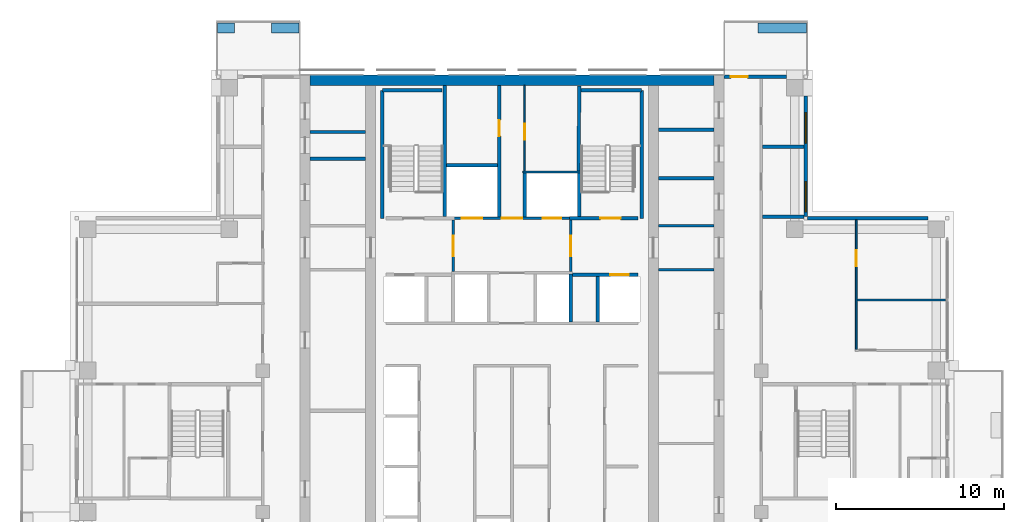
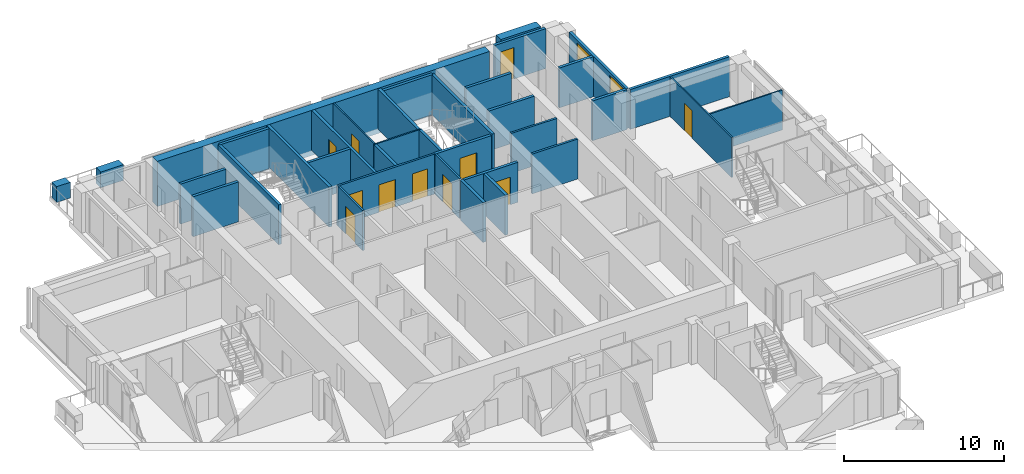
# One storey, part 13 of 17: 36 walls, 11 doors, 2 windows, 13 openings.
"""IFC4 building model written with IfcOpenShell, lengths in metres."""

from ifc_helpers import new_model, si_unit, direction, frame, frame_2d, origin, place, context, subcontext, project, spatial, rectangle, extrude, material, layer, layer_set, type_object, element, fill, save


model = new_model("IFC4")

# Units and contexts
model_context = context("Model", 3, precision=1e-05, world=origin(), true_north=direction((0.0, 1.0)))
body_context = subcontext(model_context, "Body", "Model", "MODEL_VIEW")
ifc_project = project(units=[si_unit("LENGTHUNIT", "METRE"), si_unit("AREAUNIT", "SQUARE_METRE"), si_unit("VOLUMEUNIT", "CUBIC_METRE"), si_unit("PLANEANGLEUNIT", "RADIAN"), si_unit("MASSUNIT", "GRAM", prefix="KILO")], contexts=[model_context])

# Site, building, storey
site_placement = place(None, origin())
site = spatial("IfcSite", under=ifc_project, at=site_placement, CompositionType="ELEMENT")
building_placement = place(site_placement, origin())
building = spatial("IfcBuilding", under=site, at=building_placement, Name="Vermilion Ogive Tower", CompositionType="ELEMENT")
storey_placement = place(building_placement, frame((0.0, 0.0, 203.14990234375)))
storey = spatial("IfcBuildingStorey", under=building, at=storey_placement, Name="L53", CompositionType="ELEMENT", Elevation=203.14990234375)

# Walls
ifc_material_1 = material(Name="Concrete B60", Category="concrete")
ifc_layer_1 = layer(ifc_material_1, 0.60009765625)
ifc_layer_set_1 = layer_set([ifc_layer_1], Name="Core wall 600 B60")
wall_type_1 = type_object("IfcWallType", Name="Core wall 600 B60", PredefinedType="SHEAR", material=ifc_layer_set_1)
wall_1_placement = place(storey_placement, frame((-12.0, 21.449951171875, -0.39990234375), z_axis=(0.0, 0.0, 1.0), x_axis=(1.0, 0.0, 0.0)))
element("IfcWall", 1, at=wall_1_placement, inside=storey, type_object=wall_type_1, Name="L53-CORE-N", PredefinedType="SHEAR", context=body_context, shape_type="SweptSolid", body=[
    extrude(rectangle(XDim=24.0, YDim=0.60009765625, at=frame_2d((12.0, 0.0))), origin(), (0.0, 0.0, 1.0), 3.449951171875),
])
ifc_material_2 = material(Name="Gypsum board partition on steel studs", Category="steel")
ifc_layer_2 = layer(ifc_material_2, 0.10009765625)
ifc_layer_set_2 = layer_set([ifc_layer_2], Name="Partition 100 bath")
wall_type_2 = type_object("IfcWallType", Name="Partition 100 bath", PredefinedType="PARTITIONING", material=ifc_layer_set_2)
wall_2_placement = place(storey_placement, frame((0.64990234375, 16.0, 0.0), z_axis=(0.0, 0.0, 1.0), x_axis=(1.0, 0.0, 0.0)))
element("IfcWall", 2, at=wall_2_placement, inside=storey, type_object=wall_type_2, Name="L53-CK-W-W017", PredefinedType="PARTITIONING", context=body_context, shape_type="SweptSolid", body=[
    extrude(rectangle(XDim=3.4501953125, YDim=0.10009765625, at=frame_2d((1.72509765625, 0.0))), origin(), (0.0, 0.0, 1.0), 3.050048828125),
])

# Wall, opening, door
wall_3_placement = place(storey_placement, frame((0.75, 16.050048828125, 0.0), z_axis=(0.0, 0.0, 1.0), x_axis=(0.0, 1.0, 0.0)))
wall_3 = element("IfcWall", 3, at=wall_3_placement, inside=storey, type_object=wall_type_2, Name="L53-CK-W-W029", PredefinedType="PARTITIONING", context=body_context, shape_type="SweptSolid", body=[
    extrude(rectangle(XDim=5.098876953125, YDim=0.10009765625, at=frame_2d((2.54931640625, 0.0))), origin(), (0.0, 0.0, 1.0), 3.050048828125),
])
opening_1_placement = place(wall_3_placement, frame((1.875, 0.0, 0.0)))
opening_1 = element("IfcOpeningElement", 4, at=opening_1_placement, cuts=wall_3, Name="Opening DAA478", PredefinedType="OPENING", context=body_context, shape_type="SweptSolid", body=[
    extrude(rectangle(XDim=0.949951171875, YDim=2.10009765625, at=frame_2d((0.47509765625, 1.050048828125))), frame((0.0, 0.06005859375, 0.0), z_axis=(0.0, -1.0, 0.0), x_axis=(1.0, 0.0, 0.0)), (0.0, 0.0, 1.0), 0.1201171875),
])
ifc_material_3 = material(Name="Timber door leaf", Category="wood")
door_type_1 = type_object("IfcDoorType", Name="Service door 950 x 2100 FD60", OperationType="SINGLE_SWING_LEFT", PredefinedType="DOOR", material=ifc_material_3)
door_1_placement = place(opening_1_placement, origin())
door_1 = element("IfcDoor", 5, at=door_1_placement, inside=storey, type_object=door_type_1, Name="L53-CK-D-D021", OperationType="SINGLE_SWING_LEFT", OverallHeight=2.10009765625, OverallWidth=0.949951171875, PredefinedType="DOOR", context=body_context, shape_type="SweptSolid", body=[
    extrude(rectangle(XDim=0.949951171875, YDim=2.10009765625, at=frame_2d((0.47509765625, 1.050048828125))), frame((0.0, 0.02490234375, 0.0), z_axis=(0.0, -1.0, 0.0), x_axis=(1.0, 0.0, 0.0)), (0.0, 0.0, 1.0), 0.050048828125),
])
fill(opening_1, door_1)

# Wall
ifc_material_4 = material(Name="Gypsum board partition on steel studs", Category="steel")
ifc_layer_3 = layer(ifc_material_4, 0.10009765625)
ifc_layer_set_3 = layer_set([ifc_layer_3], Name="Partition 100 inner")
wall_type_3 = type_object("IfcWallType", Name="Partition 100 inner", PredefinedType="PARTITIONING", material=ifc_layer_set_3)
wall_4_placement = place(storey_placement, frame((20.5, 8.39990234375, 0.0), z_axis=(0.0, 0.0, 1.0), x_axis=(1.0, 0.0, 0.0)))
element("IfcWall", 6, at=wall_4_placement, inside=storey, type_object=wall_type_3, Name="L53-W-W030", PredefinedType="PARTITIONING", context=body_context, shape_type="SweptSolid", body=[
    extrude(rectangle(XDim=5.25, YDim=0.10009765625, at=frame_2d((2.625, 0.0))), origin(), (0.0, 0.0, 1.0), 3.050048828125),
])

# Wall, opening, door
wall_5_placement = place(storey_placement, frame((20.449951171875, 5.449951171875, 0.0), z_axis=(0.0, 0.0, 1.0), x_axis=(0.0, 1.0, 0.0)))
wall_5 = element("IfcWall", 7, at=wall_5_placement, inside=storey, type_object=wall_type_3, Name="L53-W-W060", PredefinedType="PARTITIONING", context=body_context, shape_type="SweptSolid", body=[
    extrude(rectangle(XDim=7.699951171875, YDim=0.10009765625, at=frame_2d((3.85009765625, 0.0))), origin(), (0.0, 0.0, 1.0), 3.050048828125),
])
opening_2_placement = place(wall_5_placement, frame((4.949951171875, 0.0, 0.0)))
opening_2 = element("IfcOpeningElement", 8, at=opening_2_placement, cuts=wall_5, Name="Opening D4G4019", PredefinedType="OPENING", context=body_context, shape_type="SweptSolid", body=[
    extrude(rectangle(XDim=0.949951171875, YDim=2.10009765625, at=frame_2d((0.47509765625, 1.050048828125))), frame((0.0, 0.06005859375, 0.0), z_axis=(0.0, -1.0, 0.0), x_axis=(1.0, 0.0, 0.0)), (0.0, 0.0, 1.0), 0.1201171875),
])
ifc_material_5 = material(Name="Timber door leaf", Category="wood")
door_type_2 = type_object("IfcDoorType", Name="Inner door 950 x 2100 FD30", OperationType="SINGLE_SWING_LEFT", PredefinedType="DOOR", material=ifc_material_5)
door_2_placement = place(opening_2_placement, origin())
door_2 = element("IfcDoor", 9, at=door_2_placement, inside=storey, type_object=door_type_2, Name="L53-D-D019", OperationType="SINGLE_SWING_LEFT", OverallHeight=2.10009765625, OverallWidth=0.949951171875, PredefinedType="DOOR", context=body_context, shape_type="SweptSolid", body=[
    extrude(rectangle(XDim=0.949951171875, YDim=2.10009765625, at=frame_2d((0.47509765625, 1.050048828125))), frame((0.0, 0.02490234375, 0.0), z_axis=(0.0, -1.0, 0.0), x_axis=(1.0, 0.0, 0.0)), (0.0, 0.0, 1.0), 0.050048828125),
])
fill(opening_2, door_2)

# Wall, openings, doors
ifc_material_6 = material(Name="Gypsum board partition on steel studs", Category="steel")
ifc_layer_4 = layer(ifc_material_6, 0.14990234375)
ifc_layer_set_4 = layer_set([ifc_layer_4], Name="Partition 150 corridor")
wall_type_4 = type_object("IfcWallType", Name="Partition 150 corridor", PredefinedType="PARTITIONING", material=ifc_layer_set_4)
wall_6_placement = place(storey_placement, frame((-3.574951171875, 13.25, 0.0), z_axis=(0.0, 0.0, 1.0), x_axis=(1.0, 0.0, 0.0)))
wall_6 = element("IfcWall", 10, at=wall_6_placement, inside=storey, type_object=wall_type_4, Name="L53-CK-W-W015", PredefinedType="PARTITIONING", context=body_context, shape_type="SweptSolid", body=[
    extrude(rectangle(XDim=7.14990234375, YDim=0.14990234375, at=frame_2d((3.574951171875, 0.0))), origin(), (0.0, 0.0, 1.0), 3.050048828125),
])
opening_3_placement = place(wall_6_placement, frame((0.599853515625, 0.0, 0.0)))
opening_3 = element("IfcOpeningElement", 11, at=opening_3_placement, cuts=wall_6, Name="Opening DAA489", PredefinedType="OPENING", context=body_context, shape_type="SweptSolid", body=[
    extrude(rectangle(XDim=1.199951171875, YDim=2.10009765625, at=frame_2d((0.60009765625, 1.050048828125))), frame((0.0, 0.0849609375, 0.0), z_axis=(0.0, -1.0, 0.0), x_axis=(1.0, 0.0, 0.0)), (0.0, 0.0, 1.0), 0.169921875),
])
opening_4_placement = place(wall_6_placement, frame((5.39990234375, 0.0, 0.0)))
opening_4 = element("IfcOpeningElement", 12, at=opening_4_placement, cuts=wall_6, Name="Opening DAA488", PredefinedType="OPENING", context=body_context, shape_type="SweptSolid", body=[
    extrude(rectangle(XDim=1.10009765625, YDim=2.10009765625, at=frame_2d((0.550048828125, 1.050048828125))), frame((0.0, 0.0849609375, 0.0), z_axis=(0.0, -1.0, 0.0), x_axis=(1.0, 0.0, 0.0)), (0.0, 0.0, 1.0), 0.169921875),
])
opening_5_placement = place(wall_6_placement, frame((2.974853515625, 0.0, 0.0)))
opening_5 = element("IfcOpeningElement", 13, at=opening_5_placement, cuts=wall_6, Name="Opening DAA471", PredefinedType="OPENING", context=body_context, shape_type="SweptSolid", body=[
    extrude(rectangle(XDim=1.199951171875, YDim=2.10009765625, at=frame_2d((0.60009765625, 1.050048828125))), frame((0.0, 0.0849609375, 0.0), z_axis=(0.0, -1.0, 0.0), x_axis=(1.0, 0.0, 0.0)), (0.0, 0.0, 1.0), 0.169921875),
])
ifc_material_7 = material(Name="Stainless steel", Category="steel")
door_type_3 = type_object("IfcDoorType", Name="Lift landing door 1100 x 2100", OperationType="SLIDING_TO_LEFT", PredefinedType="DOOR", material=ifc_material_7)
door_3_placement = place(opening_4_placement, origin())
door_3 = element("IfcDoor", 14, at=door_3_placement, inside=storey, type_object=door_type_3, Name="L53-CK-D-D018", OperationType="SLIDING_TO_LEFT", OverallHeight=2.10009765625, OverallWidth=1.10009765625, PredefinedType="DOOR", context=body_context, shape_type="SweptSolid", body=[
    extrude(rectangle(XDim=1.10009765625, YDim=2.10009765625, at=frame_2d((0.550048828125, 1.050048828125))), frame((0.0, 0.02490234375, 0.0), z_axis=(0.0, -1.0, 0.0), x_axis=(1.0, 0.0, 0.0)), (0.0, 0.0, 1.0), 0.050048828125),
])
fill(opening_4, door_3)
ifc_material_8 = material(Name="Stainless steel", Category="steel")
door_type_4 = type_object("IfcDoorType", Name="Lift landing door 1200 x 2100", OperationType="SLIDING_TO_LEFT", PredefinedType="DOOR", material=ifc_material_8)
door_4_placement = place(opening_3_placement, origin())
door_4 = element("IfcDoor", 15, at=door_4_placement, inside=storey, type_object=door_type_4, Name="L53-CK-D-D017", OperationType="SLIDING_TO_RIGHT", OverallHeight=2.10009765625, OverallWidth=1.199951171875, PredefinedType="DOOR", context=body_context, shape_type="SweptSolid", body=[
    extrude(rectangle(XDim=1.199951171875, YDim=2.10009765625, at=frame_2d((0.60009765625, 1.050048828125))), frame((0.0, 0.02490234375, 0.0), z_axis=(0.0, -1.0, 0.0), x_axis=(1.0, 0.0, 0.0)), (0.0, 0.0, 1.0), 0.050048828125),
])
fill(opening_3, door_4)
ifc_material_9 = material(Name="Timber door leaf", Category="wood")
door_type_5 = type_object("IfcDoorType", Name="Service door 1200 x 2100 FD60", OperationType="SINGLE_SWING_LEFT", PredefinedType="DOOR", material=ifc_material_9)
door_5_placement = place(opening_5_placement, origin())
door_5 = element("IfcDoor", 16, at=door_5_placement, inside=storey, type_object=door_type_5, Name="L53-CK-D-D019", OperationType="SINGLE_SWING_RIGHT", OverallHeight=2.10009765625, OverallWidth=1.199951171875, PredefinedType="DOOR", context=body_context, shape_type="SweptSolid", body=[
    extrude(rectangle(XDim=1.199951171875, YDim=2.10009765625, at=frame_2d((0.60009765625, 1.050048828125))), frame((0.0, 0.02490234375, 0.0), z_axis=(0.0, -1.0, 0.0), x_axis=(1.0, 0.0, 0.0)), (0.0, 0.0, 1.0), 0.050048828125),
])
fill(opening_5, door_5)

# Wall, opening, door
wall_7_placement = place(storey_placement, frame((-3.5, 10.074951171875, 0.0), z_axis=(0.0, 0.0, 1.0), x_axis=(0.0, 1.0, 0.0)))
wall_7 = element("IfcWall", 17, at=wall_7_placement, inside=storey, type_object=wall_type_4, Name="L53-CK-W-W023", PredefinedType="PARTITIONING", context=body_context, shape_type="SweptSolid", body=[
    extrude(rectangle(XDim=3.074951171875, YDim=0.14990234375, at=frame_2d((1.53759765625, 0.0))), origin(), (0.0, 0.0, 1.0), 3.050048828125),
])
opening_6_placement = place(wall_7_placement, frame((0.925048828125, 0.0, 0.0)))
opening_6 = element("IfcOpeningElement", 18, at=opening_6_placement, cuts=wall_7, Name="Opening DAA467", PredefinedType="OPENING", context=body_context, shape_type="SweptSolid", body=[
    extrude(rectangle(XDim=1.199951171875, YDim=2.10009765625, at=frame_2d((0.60009765625, 1.050048828125))), frame((0.0, 0.0849609375, 0.0), z_axis=(0.0, -1.0, 0.0), x_axis=(1.0, 0.0, 0.0)), (0.0, 0.0, 1.0), 0.169921875),
])
ifc_material_10 = material(Name="Timber door leaf", Category="wood")
door_type_6 = type_object("IfcDoorType", Name="Lobby door 1200 x 2100 FD60S", OperationType="SINGLE_SWING_LEFT", PredefinedType="DOOR", material=ifc_material_10)
door_6_placement = place(opening_6_placement, origin())
door_6 = element("IfcDoor", 19, at=door_6_placement, inside=storey, type_object=door_type_6, Name="L53-CK-D-D022", OperationType="SINGLE_SWING_RIGHT", OverallHeight=2.10009765625, OverallWidth=1.199951171875, PredefinedType="DOOR", context=body_context, shape_type="SweptSolid", body=[
    extrude(rectangle(XDim=1.199951171875, YDim=2.10009765625, at=frame_2d((0.60009765625, 1.050048828125))), frame((0.0, 0.02490234375, 0.0), z_axis=(0.0, -1.0, 0.0), x_axis=(1.0, 0.0, 0.0)), (0.0, 0.0, 1.0), 0.050048828125),
])
fill(opening_6, door_6)

wall_8_placement = place(storey_placement, frame((3.5, 10.074951171875, 0.0), z_axis=(0.0, 0.0, 1.0), x_axis=(0.0, 1.0, 0.0)))
wall_8 = element("IfcWall", 20, at=wall_8_placement, inside=storey, type_object=wall_type_4, Name="L53-CK-W-W033", PredefinedType="PARTITIONING", context=body_context, shape_type="SweptSolid", body=[
    extrude(rectangle(XDim=3.074951171875, YDim=0.14990234375, at=frame_2d((1.53759765625, 0.0))), origin(), (0.0, 0.0, 1.0), 3.050048828125),
])
opening_7_placement = place(wall_8_placement, frame((0.925048828125, 0.0, 0.0)))
opening_7 = element("IfcOpeningElement", 21, at=opening_7_placement, cuts=wall_8, Name="Opening DAA468", PredefinedType="OPENING", context=body_context, shape_type="SweptSolid", body=[
    extrude(rectangle(XDim=1.199951171875, YDim=2.10009765625, at=frame_2d((0.60009765625, 1.050048828125))), frame((0.0, 0.0849609375, 0.0), z_axis=(0.0, -1.0, 0.0), x_axis=(1.0, 0.0, 0.0)), (0.0, 0.0, 1.0), 0.169921875),
])
door_7_placement = place(opening_7_placement, origin())
door_7 = element("IfcDoor", 22, at=door_7_placement, inside=storey, type_object=door_type_6, Name="L53-CK-D-D023", OperationType="SINGLE_SWING_LEFT", OverallHeight=2.10009765625, OverallWidth=1.199951171875, PredefinedType="DOOR", context=body_context, shape_type="SweptSolid", body=[
    extrude(rectangle(XDim=1.199951171875, YDim=2.10009765625, at=frame_2d((0.60009765625, 1.050048828125))), frame((0.0, 0.02490234375, 0.0), z_axis=(0.0, -1.0, 0.0), x_axis=(1.0, 0.0, 0.0)), (0.0, 0.0, 1.0), 0.050048828125),
])
fill(opening_7, door_7)

# Walls
for number, where, z_axis, x_axis, name in (
    (23, (8.700927734375, 10.199951171875, 0.0), (0.0, 0.0, 1.0), (1.0, 0.0, 0.0), "L53-CKE-W-W003"),
    (24, (8.700927734375, 12.800048828125, 0.0), (0.0, 0.0, 1.0), (1.0, 0.0, 0.0), "L53-CKE-W-W004"),
):
    element("IfcWall", number, at=place(storey_placement, frame(where, z_axis=z_axis, x_axis=x_axis)), inside=storey, type_object=wall_type_4, Name=name, PredefinedType="PARTITIONING", context=body_context, shape_type="SweptSolid", body=[
        extrude(rectangle(XDim=3.298095703125, YDim=0.14990234375, at=frame_2d((1.64892578125, 0.0))), origin(), (0.0, 0.0, 1.0), 3.050048828125),
    ])
ifc_material_11 = material(Name="Gypsum board partition on steel studs", Category="steel")
ifc_layer_5 = layer(ifc_material_11, 0.199951171875)
ifc_layer_set_5 = layer_set([ifc_layer_5], Name="Partition 200 party")
wall_type_5 = type_object("IfcWallType", Name="Partition 200 party", PredefinedType="PARTITIONING", material=ifc_layer_set_5)
for number, where, z_axis, x_axis, name in (
    (25, (14.875, 13.35009765625, 0.0), (0.0, 0.0, 1.0), (1.0, 0.0, 0.0), "L53-W-W033"),
    (26, (14.875, 17.5, 0.0), (0.0, 0.0, 1.0), (1.0, 0.0, 0.0), "L53-W-W035"),
):
    element("IfcWall", number, at=place(storey_placement, frame(where, z_axis=z_axis, x_axis=x_axis)), inside=storey, type_object=wall_type_5, Name=name, PredefinedType="PARTITIONING", context=body_context, shape_type="SweptSolid", body=[
        extrude(rectangle(XDim=2.47509765625, YDim=0.199951171875, at=frame_2d((1.237548828125, 0.0))), origin(), (0.0, 0.0, 1.0), 3.050048828125),
    ])

# Wall, opening, door
wall_9_placement = place(storey_placement, frame((3.60009765625, 9.89990234375, 0.0), z_axis=(0.0, 0.0, 1.0), x_axis=(1.0, 0.0, 0.0)))
wall_9 = element("IfcWall", 27, at=wall_9_placement, inside=storey, type_object=wall_type_5, Name="L53-CK-W-W012", PredefinedType="PARTITIONING", context=body_context, shape_type="SweptSolid", body=[
    extrude(rectangle(XDim=3.89990234375, YDim=0.199951171875, at=frame_2d((1.949951171875, 0.0))), origin(), (0.0, 0.0, 1.0), 3.050048828125),
])
opening_8_placement = place(wall_9_placement, frame((2.25, 0.0, 0.0)))
opening_8 = element("IfcOpeningElement", 28, at=opening_8_placement, cuts=wall_9, Name="Opening DAA487", PredefinedType="OPENING", context=body_context, shape_type="SweptSolid", body=[
    extrude(rectangle(XDim=1.10009765625, YDim=2.10009765625, at=frame_2d((0.550048828125, 1.050048828125))), frame((0.0, 0.10986328125, 0.0), z_axis=(0.0, -1.0, 0.0), x_axis=(1.0, 0.0, 0.0)), (0.0, 0.0, 1.0), 0.219970703125),
])
door_8_placement = place(opening_8_placement, origin())
door_8 = element("IfcDoor", 29, at=door_8_placement, inside=storey, type_object=door_type_3, Name="L53-CK-D-D014", OperationType="SLIDING_TO_LEFT", OverallHeight=2.10009765625, OverallWidth=1.10009765625, PredefinedType="DOOR", context=body_context, shape_type="SweptSolid", body=[
    extrude(rectangle(XDim=1.10009765625, YDim=2.10009765625, at=frame_2d((0.550048828125, 1.050048828125))), frame((0.0, 0.02490234375, 0.0), z_axis=(0.0, -1.0, 0.0), x_axis=(1.0, 0.0, 0.0)), (0.0, 0.0, 1.0), 0.050048828125),
])
fill(opening_8, door_8)

# Wall
wall_10_placement = place(storey_placement, frame((-3.89990234375, 16.39990234375, 0.0), z_axis=(0.0, 0.0, 1.0), x_axis=(1.0, 0.0, 0.0)))
element("IfcWall", 30, at=wall_10_placement, inside=storey, type_object=wall_type_5, Name="L53-CK-W-W018", PredefinedType="PARTITIONING", context=body_context, shape_type="SweptSolid", body=[
    extrude(rectangle(XDim=3.0498046875, YDim=0.199951171875, at=frame_2d((1.52490234375, 0.0))), origin(), (0.0, 0.0, 1.0), 3.050048828125),
])

# Wall, opening, door
wall_11_placement = place(storey_placement, frame((-0.75, 13.324951171875, 0.0), z_axis=(0.0, 0.0, 1.0), x_axis=(0.0, 1.0, 0.0)))
wall_11 = element("IfcWall", 31, at=wall_11_placement, inside=storey, type_object=wall_type_5, Name="L53-CK-W-W026", PredefinedType="PARTITIONING", context=body_context, shape_type="SweptSolid", body=[
    extrude(rectangle(XDim=7.823974609375, YDim=0.199951171875, at=frame_2d((3.912109375, 0.0))), origin(), (0.0, 0.0, 1.0), 3.050048828125),
])
opening_9_placement = place(wall_11_placement, frame((4.800048828125, 0.0, 0.0)))
opening_9 = element("IfcOpeningElement", 32, at=opening_9_placement, cuts=wall_11, Name="Opening DAA477", PredefinedType="OPENING", context=body_context, shape_type="SweptSolid", body=[
    extrude(rectangle(XDim=0.949951171875, YDim=2.10009765625, at=frame_2d((0.47509765625, 1.050048828125))), frame((0.0, 0.10986328125, 0.0), z_axis=(0.0, -1.0, 0.0), x_axis=(1.0, 0.0, 0.0)), (0.0, 0.0, 1.0), 0.219970703125),
])
door_9_placement = place(opening_9_placement, origin())
door_9 = element("IfcDoor", 33, at=door_9_placement, inside=storey, type_object=door_type_1, Name="L53-CK-D-D020", OperationType="SINGLE_SWING_RIGHT", OverallHeight=2.10009765625, OverallWidth=0.949951171875, PredefinedType="DOOR", context=body_context, shape_type="SweptSolid", body=[
    extrude(rectangle(XDim=0.949951171875, YDim=2.10009765625, at=frame_2d((0.47509765625, 1.050048828125))), frame((0.0, 0.02490234375, 0.0), z_axis=(0.0, -1.0, 0.0), x_axis=(1.0, 0.0, 0.0)), (0.0, 0.0, 1.0), 0.050048828125),
])
fill(opening_9, door_9)

# Walls
wall_12_placement = place(storey_placement, frame((0.75, 13.324951171875, 0.0), z_axis=(0.0, 0.0, 1.0), x_axis=(0.0, 1.0, 0.0)))
element("IfcWall", 34, at=wall_12_placement, inside=storey, type_object=wall_type_5, Name="L53-CK-W-W028", PredefinedType="PARTITIONING", context=body_context, shape_type="SweptSolid", body=[
    extrude(rectangle(XDim=2.625, YDim=0.199951171875, at=frame_2d((1.3125, 0.0))), origin(), (0.0, 0.0, 1.0), 3.050048828125),
])
wall_13_placement = place(storey_placement, frame((3.5, 7.074951171875, 0.0), z_axis=(0.0, 0.0, 1.0), x_axis=(0.0, 1.0, 0.0)))
element("IfcWall", 35, at=wall_13_placement, inside=storey, type_object=wall_type_5, Name="L53-CK-W-W032", PredefinedType="PARTITIONING", context=body_context, shape_type="SweptSolid", body=[
    extrude(rectangle(XDim=2.85009765625, YDim=0.199951171875, at=frame_2d((1.425048828125, 0.0))), origin(), (0.0, 0.0, 1.0), 3.050048828125),
])
wall_14_placement = place(storey_placement, frame((5.10009765625, 7.074951171875, 0.0), z_axis=(0.0, 0.0, 1.0), x_axis=(0.0, 1.0, 0.0)))
element("IfcWall", 36, at=wall_14_placement, inside=storey, type_object=wall_type_5, Name="L53-CK-W-W036", PredefinedType="PARTITIONING", context=body_context, shape_type="SweptSolid", body=[
    extrude(rectangle(XDim=2.72509765625, YDim=0.199951171875, at=frame_2d((1.362548828125, 0.0))), origin(), (0.0, 0.0, 1.0), 3.050048828125),
])
for number, where, z_axis, x_axis, name in (
    (37, (-11.9990234375, 16.7880859375, 0.0), (0.0, 0.0, 1.0), (1.0, 0.0, 0.0), "L53-CKW-W-W004"),
    (38, (-11.9990234375, 18.373046875, 0.0), (0.0, 0.0, 1.0), (1.0, 0.0, 0.0), "L53-CKW-W-W005"),
    (39, (8.700927734375, 15.636962890625, 0.0), (0.0, 0.0, 1.0), (1.0, 0.0, 0.0), "L53-CKE-W-W005"),
    (40, (8.700927734375, 18.509033203125, 0.0), (0.0, 0.0, 1.0), (1.0, 0.0, 0.0), "L53-CKE-W-W006"),
):
    element("IfcWall", number, at=place(storey_placement, frame(where, z_axis=z_axis, x_axis=x_axis)), inside=storey, type_object=wall_type_5, Name=name, PredefinedType="PARTITIONING", context=body_context, shape_type="SweptSolid", body=[
        extrude(rectangle(XDim=3.298095703125, YDim=0.199951171875, at=frame_2d((1.64892578125, 0.0))), origin(), (0.0, 0.0, 1.0), 3.050048828125),
    ])

# Wall, opening, door
ifc_material_12 = material(Name="Concrete B60", Category="concrete")
ifc_layer_6 = layer(ifc_material_12, 0.199951171875)
ifc_layer_set_6 = layer_set([ifc_layer_6], Name="Stair shaft wall 200 Concrete B60")
wall_type_6 = type_object("IfcWallType", Name="Stair shaft wall 200 Concrete B60", PredefinedType="SOLIDWALL", material=ifc_layer_set_6)
wall_15_placement = place(storey_placement, frame((3.425048828125, 13.25, 0.0), z_axis=(0.0, 0.0, 1.0), x_axis=(1.0, 0.0, 0.0)))
wall_15 = element("IfcWall", 41, at=wall_15_placement, inside=storey, type_object=wall_type_6, Name="L53-CK-W-W016", PredefinedType="SOLIDWALL", context=body_context, shape_type="SweptSolid", body=[
    extrude(rectangle(XDim=4.074951171875, YDim=0.199951171875, at=frame_2d((2.03759765625, 0.0))), origin(), (0.0, 0.0, 1.0), 3.050048828125),
])
opening_10_placement = place(wall_15_placement, frame((1.824951171875, 0.0, 0.0)))
opening_10 = element("IfcOpeningElement", 42, at=opening_10_placement, cuts=wall_15, Name="Opening DAA480", PredefinedType="OPENING", context=body_context, shape_type="SweptSolid", body=[
    extrude(rectangle(XDim=1.199951171875, YDim=2.10009765625, at=frame_2d((0.60009765625, 1.050048828125))), frame((0.0, 0.10986328125, 0.0), z_axis=(0.0, -1.0, 0.0), x_axis=(1.0, 0.0, 0.0)), (0.0, 0.0, 1.0), 0.219970703125),
])
ifc_material_13 = material(Name="Timber door leaf", Category="wood")
door_type_7 = type_object("IfcDoorType", Name="Stair door 1200 x 2100 FD60S", OperationType="SINGLE_SWING_LEFT", PredefinedType="DOOR", material=ifc_material_13)
door_10_placement = place(opening_10_placement, origin())
door_10 = element("IfcDoor", 43, at=door_10_placement, inside=storey, type_object=door_type_7, Name="L53-CK-D-D013", OperationType="SINGLE_SWING_RIGHT", OverallHeight=2.10009765625, OverallWidth=1.199951171875, PredefinedType="DOOR", context=body_context, shape_type="SweptSolid", body=[
    extrude(rectangle(XDim=1.199951171875, YDim=2.10009765625, at=frame_2d((0.60009765625, 1.050048828125))), frame((0.0, 0.02490234375, 0.0), z_axis=(0.0, -1.0, 0.0), x_axis=(1.0, 0.0, 0.0)), (0.0, 0.0, 1.0), 0.050048828125),
])
fill(opening_10, door_10)

# Walls
wall_16_placement = place(storey_placement, frame((-4.0, 13.35009765625, 0.0), z_axis=(0.0, 0.0, 1.0), x_axis=(0.0, 1.0, 0.0)))
element("IfcWall", 44, at=wall_16_placement, inside=storey, type_object=wall_type_6, Name="L53-CK-W-W021", PredefinedType="SOLIDWALL", context=body_context, shape_type="SweptSolid", body=[
    extrude(rectangle(XDim=7.798828125, YDim=0.199951171875, at=frame_2d((3.8994140625, 0.0))), origin(), (0.0, 0.0, 1.0), 3.050048828125),
])
wall_17_placement = place(storey_placement, frame((4.0, 13.35009765625, 0.0), z_axis=(0.0, 0.0, 1.0), x_axis=(0.0, 1.0, 0.0)))
element("IfcWall", 45, at=wall_17_placement, inside=storey, type_object=wall_type_6, Name="L53-CK-W-W034", PredefinedType="SOLIDWALL", context=body_context, shape_type="SweptSolid", body=[
    extrude(rectangle(XDim=2.599853515625, YDim=0.199951171875, at=frame_2d((1.2998046875, 0.0))), origin(), (0.0, 0.0, 1.0), 3.050048828125),
])
wall_18_placement = place(storey_placement, frame((3.949951171875, 16.050048828125, 0.0), z_axis=(0.0, 0.0, 1.0), x_axis=(0.009911993103, 0.99995087499, 0.0)))
element("IfcWall", 46, at=wall_18_placement, inside=storey, type_object=wall_type_6, Name="L53-CK-W-W035", PredefinedType="SOLIDWALL", context=body_context, shape_type="SweptSolid", body=[
    extrude(rectangle(XDim=5.04931640625, YDim=0.199951171875, at=frame_2d((2.524658203125, 0.0))), origin(), (0.0, 0.0, 1.0), 3.050048828125),
])
wall_19_placement = place(storey_placement, frame((-7.699951171875, 13.25, 0.0), z_axis=(0.0, 0.0, 1.0), x_axis=(0.0, 1.0, 0.0)))
element("IfcWall", 47, at=wall_19_placement, inside=storey, type_object=wall_type_6, Name="L53-SW-R015-W1", PredefinedType="SOLIDWALL", context=body_context, shape_type="SweptSolid", body=[
    extrude(rectangle(XDim=7.60009765625, YDim=0.199951171875, at=frame_2d((3.800048828125, 0.0))), origin(), (0.0, 0.0, 1.0), 3.050048828125),
])
wall_20_placement = place(storey_placement, frame((-7.699951171875, 20.85009765625, 0.0), z_axis=(0.0, 0.0, 1.0), x_axis=(1.0, 0.0, 0.0)))
element("IfcWall", 48, at=wall_20_placement, inside=storey, type_object=wall_type_6, Name="L53-SW-R015-N1", PredefinedType="SOLIDWALL", context=body_context, shape_type="SweptSolid", body=[
    extrude(rectangle(XDim=3.550048828125, YDim=0.199951171875, at=frame_2d((1.77490234375, 0.0))), origin(), (0.0, 0.0, 1.0), 3.050048828125),
])
wall_21_placement = place(storey_placement, frame((7.699951171875, 13.25, 0.0), z_axis=(0.0, 0.0, 1.0), x_axis=(0.0, 1.0, 0.0)))
element("IfcWall", 49, at=wall_21_placement, inside=storey, type_object=wall_type_6, Name="L53-SW-R019-E1", PredefinedType="SOLIDWALL", context=body_context, shape_type="SweptSolid", body=[
    extrude(rectangle(XDim=7.60009765625, YDim=0.199951171875, at=frame_2d((3.800048828125, 0.0))), origin(), (0.0, 0.0, 1.0), 3.050048828125),
])
wall_22_placement = place(storey_placement, frame((4.10009765625, 20.85009765625, 0.0), z_axis=(0.0, 0.0, 1.0), x_axis=(1.0, 0.0, 0.0)))
element("IfcWall", 50, at=wall_22_placement, inside=storey, type_object=wall_type_6, Name="L53-SW-R019-N1", PredefinedType="SOLIDWALL", context=body_context, shape_type="SweptSolid", body=[
    extrude(rectangle(XDim=3.599853515625, YDim=0.199951171875, at=frame_2d((1.7998046875, 0.0))), origin(), (0.0, 0.0, 1.0), 3.050048828125),
])
ifc_material_14 = material(Name="Concrete B40", Category="concrete")
ifc_layer_7 = layer(ifc_material_14, 0.60009765625)
ifc_layer_set_7 = layer_set([ifc_layer_7], Name="Structural planter")
wall_type_7 = type_object("IfcWallType", Name="Structural planter", PredefinedType="USERDEFINED", material=ifc_layer_set_7)
wall_23_placement = place(storey_placement, frame((17.489990234375, 24.550048828125, -0.039794921875), z_axis=(0.0, 0.0, 1.0), x_axis=(-1.0, 0.0, 0.0)))
element("IfcWall", 51, at=wall_23_placement, inside=storey, type_object=wall_type_7, Name="Planter N101A1", ObjectType="PLANTER", PredefinedType="USERDEFINED", context=body_context, shape_type="SweptSolid", body=[
    extrude(rectangle(XDim=2.889892578125, YDim=0.60009765625, at=frame_2d((1.44482421875, 0.0))), origin(), (0.0, 0.0, 1.0), 1.199951171875),
])
wall_24_placement = place(storey_placement, frame((-12.659912109375, 24.550048828125, -0.039794921875), z_axis=(0.0, 0.0, 1.0), x_axis=(-1.0, 0.0, 0.0)))
element("IfcWall", 52, at=wall_24_placement, inside=storey, type_object=wall_type_7, Name="Planter N201A1", ObjectType="PLANTER", PredefinedType="USERDEFINED", context=body_context, shape_type="SweptSolid", body=[
    extrude(rectangle(XDim=1.64013671875, YDim=0.60009765625, at=frame_2d((0.820068359375, 0.0))), origin(), (0.0, 0.0, 1.0), 1.199951171875),
])
wall_25_placement = place(storey_placement, frame((-16.5, 24.550048828125, -0.039794921875), z_axis=(0.0, 0.0, 1.0), x_axis=(-1.0, 0.0, 0.0)))
element("IfcWall", 53, at=wall_25_placement, inside=storey, type_object=wall_type_7, Name="Planter N201A2", ObjectType="PLANTER", PredefinedType="USERDEFINED", context=body_context, shape_type="SweptSolid", body=[
    extrude(rectangle(XDim=0.989990234375, YDim=0.60009765625, at=frame_2d((0.4951171875, 0.0))), origin(), (0.0, 0.0, 1.0), 1.199951171875),
])
ifc_material_15 = material(Name="Aluminium window wall framing", Category="aluminium")
ifc_layer_8 = layer(ifc_material_15, 0.199951171875)
ifc_layer_set_8 = layer_set([ifc_layer_8], Name="Window wall")
wall_type_8 = type_object("IfcWallType", Name="Window wall", PredefinedType="STANDARD", material=ifc_layer_set_8)
wall_26_placement = place(storey_placement, frame((24.699951171875, 13.25, 0.0), z_axis=(0.0, 0.0, 1.0), x_axis=(-1.0, 0.0, 0.0)))
element("IfcWall", 54, at=wall_26_placement, inside=storey, type_object=wall_type_8, Name="Window wall X31", PredefinedType="STANDARD", context=body_context, shape_type="SweptSolid", body=[
    extrude(rectangle(XDim=7.14990234375, YDim=0.199951171875, at=frame_2d((3.574951171875, 0.0))), origin(), (0.0, 0.0, 1.0), 3.050048828125),
])

# Wall, openings, windows
wall_27_placement = place(storey_placement, frame((17.449951171875, 13.35009765625, 0.0), z_axis=(0.0, 0.0, 1.0), x_axis=(0.0, 1.0, 0.0)))
wall_27 = element("IfcWall", 55, at=wall_27_placement, inside=storey, type_object=wall_type_8, Name="Window wall X41", PredefinedType="STANDARD", context=body_context, shape_type="SweptSolid", body=[
    extrude(rectangle(XDim=7.14990234375, YDim=0.199951171875, at=frame_2d((3.574951171875, 0.0))), origin(), (0.0, 0.0, 1.0), 3.050048828125),
])
opening_11_placement = place(wall_27_placement, frame((0.27490234375, 0.0, 0.199951171875)))
opening_11 = element("IfcOpeningElement", 56, at=opening_11_placement, cuts=wall_27, Name="Opening W1-X403", PredefinedType="OPENING", context=body_context, shape_type="SweptSolid", body=[
    extrude(rectangle(XDim=1.800048828125, YDim=2.64990234375, at=frame_2d((0.89990234375, 1.324951171875))), frame((0.0, 0.10986328125, 0.0), z_axis=(0.0, -1.0, 0.0), x_axis=(1.0, 0.0, 0.0)), (0.0, 0.0, 1.0), 0.219970703125),
])
opening_12_placement = place(wall_27_placement, frame((4.3701171875, 0.0, 0.199951171875)))
opening_12 = element("IfcOpeningElement", 57, at=opening_12_placement, cuts=wall_27, Name="Opening W1-X404", PredefinedType="OPENING", context=body_context, shape_type="SweptSolid", body=[
    extrude(rectangle(XDim=1.800048828125, YDim=2.64990234375, at=frame_2d((0.89990234375, 1.324951171875))), frame((0.0, 0.10986328125, 0.0), z_axis=(0.0, -1.0, 0.0), x_axis=(1.0, 0.0, 0.0)), (0.0, 0.0, 1.0), 0.219970703125),
])
ifc_material_16 = material(Name="Aluminium framed double glazing", Category="aluminium")
window_type = type_object("IfcWindowType", Name="Guest window W1", PartitioningType="SINGLE_PANEL", PredefinedType="WINDOW", material=ifc_material_16)
window_1_placement = place(opening_11_placement, origin())
window_1 = element("IfcWindow", 58, at=window_1_placement, inside=storey, type_object=window_type, Name="Window X403", OverallHeight=2.64990234375, OverallWidth=1.800048828125, PartitioningType="SINGLE_PANEL", PredefinedType="WINDOW", context=body_context, shape_type="SweptSolid", body=[
    extrude(rectangle(XDim=1.800048828125, YDim=2.64990234375, at=frame_2d((0.89990234375, 1.324951171875))), frame((0.0, 0.030029296875, 0.0), z_axis=(0.0, -1.0, 0.0), x_axis=(1.0, 0.0, 0.0)), (0.0, 0.0, 1.0), 0.06005859375),
])
fill(opening_11, window_1)
window_2_placement = place(opening_12_placement, origin())
window_2 = element("IfcWindow", 59, at=window_2_placement, inside=storey, type_object=window_type, Name="Window X404", OverallHeight=2.64990234375, OverallWidth=1.800048828125, PartitioningType="SINGLE_PANEL", PredefinedType="WINDOW", context=body_context, shape_type="SweptSolid", body=[
    extrude(rectangle(XDim=1.800048828125, YDim=2.64990234375, at=frame_2d((0.89990234375, 1.324951171875))), frame((0.0, 0.030029296875, 0.0), z_axis=(0.0, -1.0, 0.0), x_axis=(1.0, 0.0, 0.0)), (0.0, 0.0, 1.0), 0.06005859375),
])
fill(opening_12, window_2)

# Wall, opening, door
wall_28_placement = place(storey_placement, frame((16.300048828125, 21.64990234375, 0.0), z_axis=(0.0, 0.0, 1.0), x_axis=(-1.0, 0.0, 0.0)))
wall_28 = element("IfcWall", 60, at=wall_28_placement, inside=storey, type_object=wall_type_8, Name="Window wall N11", PredefinedType="STANDARD", context=body_context, shape_type="SweptSolid", body=[
    extrude(rectangle(XDim=3.699951171875, YDim=0.199951171875, at=frame_2d((1.85009765625, 0.0))), origin(), (0.0, 0.0, 1.0), 3.050048828125),
])
opening_13_placement = place(wall_28_placement, frame((2.300048828125, 0.0, 0.0)))
opening_13 = element("IfcOpeningElement", 61, at=opening_13_placement, cuts=wall_28, Name="Opening D1-N103", PredefinedType="OPENING", context=body_context, shape_type="SweptSolid", body=[
    extrude(rectangle(XDim=1.0, YDim=2.39990234375, at=frame_2d((0.5, 1.199951171875))), frame((0.0, 0.10986328125, 0.0), z_axis=(0.0, -1.0, 0.0), x_axis=(1.0, 0.0, 0.0)), (0.0, 0.0, 1.0), 0.219970703125),
])
ifc_material_17 = material(Name="Aluminium framed glazed door", Category="aluminium")
door_type_8 = type_object("IfcDoorType", Name="Balcony door D1", OperationType="SINGLE_SWING_LEFT", PredefinedType="DOOR", material=ifc_material_17)
door_11_placement = place(opening_13_placement, origin())
door_11 = element("IfcDoor", 62, at=door_11_placement, inside=storey, type_object=door_type_8, Name="Balcony door N103", OperationType="SINGLE_SWING_LEFT", OverallHeight=2.39990234375, OverallWidth=1.0, PredefinedType="DOOR", context=body_context, shape_type="SweptSolid", body=[
    extrude(rectangle(XDim=1.0, YDim=2.39990234375, at=frame_2d((0.5, 1.199951171875))), frame((0.0, 0.02490234375, 0.0), z_axis=(0.0, -1.0, 0.0), x_axis=(1.0, 0.0, 0.0)), (0.0, 0.0, 1.0), 0.050048828125),
])
fill(opening_13, door_11)

save(model, "model.ifc")
